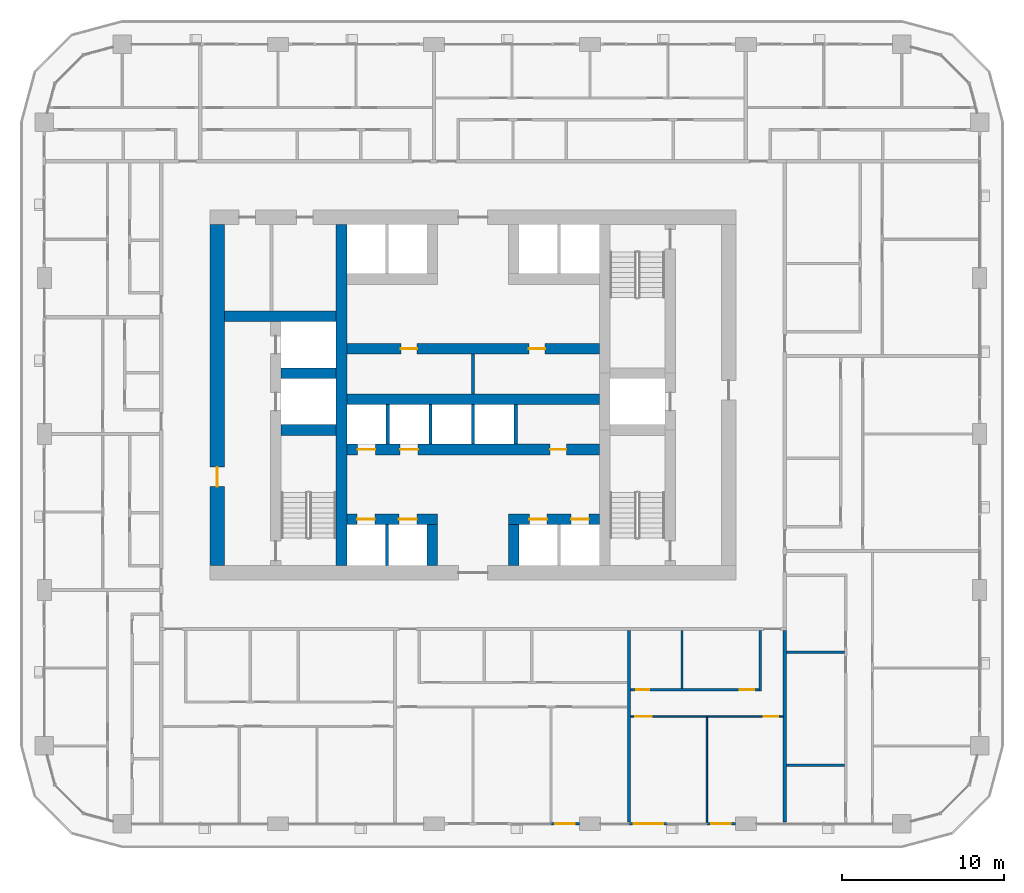
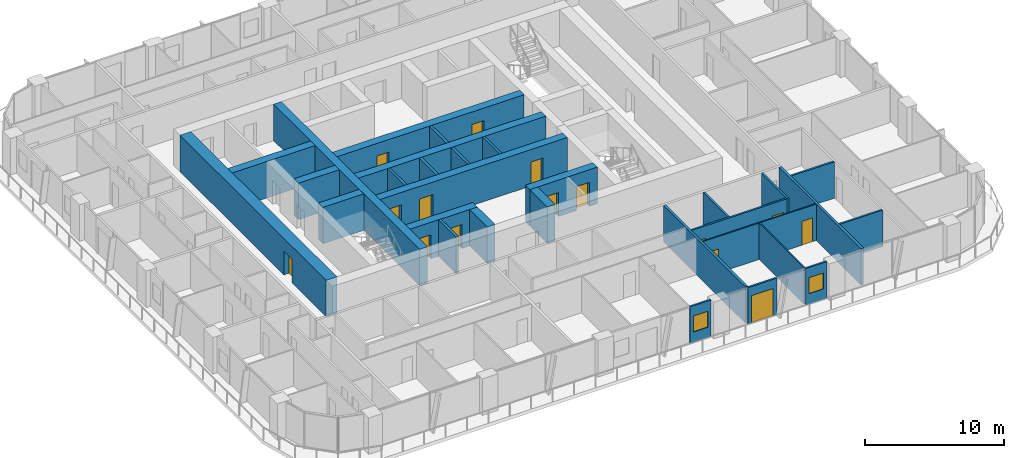
# One storey, part 11 of 22: 30 walls, 15 doors, 2 windows, 17 openings.
"""IFC4 building model written with IfcOpenShell, lengths in metres."""

from ifc_helpers import new_model, si_unit, direction, frame, frame_2d, origin, place, context, subcontext, project, spatial, rectangle, extrude, material, layer, layer_set, type_object, element, fill, save


model = new_model("IFC4")

# Units and contexts
model_context = context("Model", 3, precision=1e-05, world=origin(), true_north=direction((0.0, 1.0)))
body_context = subcontext(model_context, "Body", "Model", "MODEL_VIEW")
ifc_project = project(units=[si_unit("LENGTHUNIT", "METRE"), si_unit("AREAUNIT", "SQUARE_METRE"), si_unit("VOLUMEUNIT", "CUBIC_METRE"), si_unit("PLANEANGLEUNIT", "RADIAN"), si_unit("MASSUNIT", "GRAM", prefix="KILO")], contexts=[model_context])

# Site, building, storey
site_placement = place(None, origin())
site = spatial("IfcSite", under=ifc_project, at=site_placement, CompositionType="ELEMENT")
building_placement = place(site_placement, origin())
building = spatial("IfcBuilding", under=site, at=building_placement, Name="Madar Terraces", CompositionType="ELEMENT")
storey_placement = place(building_placement, frame((0.0, 0.0, 62.800048828125)))
storey = spatial("IfcBuildingStorey", under=building, at=storey_placement, Name="L15", CompositionType="ELEMENT", Elevation=62.800048828125)

# Walls
ifc_material_1 = material(Name="Concrete C80/95", Category="concrete")
ifc_layer_1 = layer(ifc_material_1, 0.64990234375)
ifc_layer_set_1 = layer_set([ifc_layer_1], Name="Concrete C80/95 (CIW2 RC wall 650)")
wall_type_1 = type_object("IfcWallType", Name="CIW2 RC wall 650", PredefinedType="SHEAR", material=ifc_layer_set_1)
wall_1_placement = place(storey_placement, frame((23.10009765625, 15.89990234375, 0.0), z_axis=(0.0, 0.0, 1.0), x_axis=(0.0, 1.0, 0.0)))
element("IfcWall", 1, at=wall_1_placement, inside=storey, type_object=wall_type_1, Name="CORE SHAFT WALL", PredefinedType="SHEAR", context=body_context, shape_type="SweptSolid", body=[
    extrude(rectangle(XDim=21.0, YDim=0.64990234375, at=frame_2d((10.5, 0.0))), origin(), (0.0, 0.0, 1.0), 3.199951171875),
])
for number, where, z_axis, x_axis, name in (
    (2, (19.375, 24.25, 0.0), (0.0, 0.0, 1.0), (1.0, 0.0, 0.0), "CORE SHAFT WALL"),
    (3, (19.375, 27.75, 0.0), (0.0, 0.0, 1.0), (1.0, 0.0, 0.0), "CORE SHAFT WALL"),
):
    element("IfcWall", number, at=place(storey_placement, frame(where, z_axis=z_axis, x_axis=x_axis)), inside=storey, type_object=wall_type_1, Name=name, PredefinedType="SHEAR", context=body_context, shape_type="SweptSolid", body=[
        extrude(rectangle(XDim=3.39990234375, YDim=0.64990234375, at=frame_2d((1.699951171875, 0.0))), origin(), (0.0, 0.0, 1.0), 3.199951171875),
    ])
wall_2_placement = place(storey_placement, frame((15.89990234375, 31.25, 0.0), z_axis=(0.0, 0.0, 1.0), x_axis=(1.0, 0.0, 0.0)))
element("IfcWall", 4, at=wall_2_placement, inside=storey, type_object=wall_type_1, Name="CORE SHAFT WALL", PredefinedType="SHEAR", context=body_context, shape_type="SweptSolid", body=[
    extrude(rectangle(XDim=6.875, YDim=0.64990234375, at=frame_2d((3.4375, 0.0))), origin(), (0.0, 0.0, 1.0), 3.199951171875),
])

# Wall, openings, doors
wall_3_placement = place(storey_placement, frame((23.425048828125, 18.75, 0.0), z_axis=(0.0, 0.0, 1.0), x_axis=(1.0, 0.0, 0.0)))
wall_3 = element("IfcWall", 5, at=wall_3_placement, inside=storey, type_object=wall_type_1, Name="CORE SHAFT WALL", PredefinedType="SHEAR", context=body_context, shape_type="SweptSolid", body=[
    extrude(rectangle(XDim=5.599853515625, YDim=0.64990234375, at=frame_2d((2.7998046875, 0.0))), origin(), (0.0, 0.0, 1.0), 3.199951171875),
])
opening_1_placement = place(wall_3_placement, frame((0.637451171875, 0.0, 0.0)))
opening_1 = element("IfcOpeningElement", 6, at=opening_1_placement, cuts=wall_3, Name="Opening LD", PredefinedType="OPENING", context=body_context, shape_type="SweptSolid", body=[
    extrude(rectangle(XDim=1.10009765625, YDim=2.10009765625, at=frame_2d((0.550048828125, 1.050048828125))), frame((0.0, 0.3349609375, 0.0), z_axis=(0.0, -1.0, 0.0), x_axis=(1.0, 0.0, 0.0)), (0.0, 0.0, 1.0), 0.669921875),
])
opening_2_placement = place(wall_3_placement, frame((3.21240234375, 0.0, 0.0)))
opening_2 = element("IfcOpeningElement", 7, at=opening_2_placement, cuts=wall_3, Name="Opening LD", PredefinedType="OPENING", context=body_context, shape_type="SweptSolid", body=[
    extrude(rectangle(XDim=1.10009765625, YDim=2.10009765625, at=frame_2d((0.550048828125, 1.050048828125))), frame((0.0, 0.3349609375, 0.0), z_axis=(0.0, -1.0, 0.0), x_axis=(1.0, 0.0, 0.0)), (0.0, 0.0, 1.0), 0.669921875),
])
ifc_material_2 = material(Name="Stainless steel panel", Category="steel")
door_type_1 = type_object("IfcDoorType", Name="Lift landing door 1100 x 2100", OperationType="DOUBLE_DOOR_SLIDING", PredefinedType="DOOR", material=ifc_material_2)
door_1_placement = place(opening_1_placement, origin())
door_1 = element("IfcDoor", 8, at=door_1_placement, inside=storey, type_object=door_type_1, Name="LIFT LANDING DOOR", OperationType="DOUBLE_DOOR_SLIDING", OverallHeight=2.10009765625, OverallWidth=1.10009765625, PredefinedType="DOOR", context=body_context, shape_type="SweptSolid", body=[
    extrude(rectangle(XDim=1.10009765625, YDim=2.10009765625, at=frame_2d((0.550048828125, 1.050048828125))), frame((0.0, 0.02490234375, 0.0), z_axis=(0.0, -1.0, 0.0), x_axis=(1.0, 0.0, 0.0)), (0.0, 0.0, 1.0), 0.050048828125),
])
fill(opening_1, door_1)
door_2_placement = place(opening_2_placement, origin())
door_2 = element("IfcDoor", 9, at=door_2_placement, inside=storey, type_object=door_type_1, Name="LIFT LANDING DOOR", OperationType="DOUBLE_DOOR_SLIDING", OverallHeight=2.10009765625, OverallWidth=1.10009765625, PredefinedType="DOOR", context=body_context, shape_type="SweptSolid", body=[
    extrude(rectangle(XDim=1.10009765625, YDim=2.10009765625, at=frame_2d((0.550048828125, 1.050048828125))), frame((0.0, 0.02490234375, 0.0), z_axis=(0.0, -1.0, 0.0), x_axis=(1.0, 0.0, 0.0)), (0.0, 0.0, 1.0), 0.050048828125),
])
fill(opening_2, door_2)

wall_4_placement = place(storey_placement, frame((33.375, 18.75, 0.0), z_axis=(0.0, 0.0, 1.0), x_axis=(1.0, 0.0, 0.0)))
wall_4 = element("IfcWall", 10, at=wall_4_placement, inside=storey, type_object=wall_type_1, Name="CORE SHAFT WALL", PredefinedType="SHEAR", context=body_context, shape_type="SweptSolid", body=[
    extrude(rectangle(XDim=5.60009765625, YDim=0.64990234375, at=frame_2d((2.800048828125, 0.0))), origin(), (0.0, 0.0, 1.0), 3.199951171875),
])
opening_3_placement = place(wall_4_placement, frame((1.28759765625, 0.0, 0.0)))
opening_3 = element("IfcOpeningElement", 11, at=opening_3_placement, cuts=wall_4, Name="Opening LD", PredefinedType="OPENING", context=body_context, shape_type="SweptSolid", body=[
    extrude(rectangle(XDim=1.10009765625, YDim=2.10009765625, at=frame_2d((0.550048828125, 1.050048828125))), frame((0.0, 0.3349609375, 0.0), z_axis=(0.0, -1.0, 0.0), x_axis=(1.0, 0.0, 0.0)), (0.0, 0.0, 1.0), 0.669921875),
])
opening_4_placement = place(wall_4_placement, frame((3.862548828125, 0.0, 0.0)))
opening_4 = element("IfcOpeningElement", 12, at=opening_4_placement, cuts=wall_4, Name="Opening LD", PredefinedType="OPENING", context=body_context, shape_type="SweptSolid", body=[
    extrude(rectangle(XDim=1.10009765625, YDim=2.10009765625, at=frame_2d((0.550048828125, 1.050048828125))), frame((0.0, 0.3349609375, 0.0), z_axis=(0.0, -1.0, 0.0), x_axis=(1.0, 0.0, 0.0)), (0.0, 0.0, 1.0), 0.669921875),
])
door_3_placement = place(opening_3_placement, origin())
door_3 = element("IfcDoor", 13, at=door_3_placement, inside=storey, type_object=door_type_1, Name="LIFT LANDING DOOR", OperationType="DOUBLE_DOOR_SLIDING", OverallHeight=2.10009765625, OverallWidth=1.10009765625, PredefinedType="DOOR", context=body_context, shape_type="SweptSolid", body=[
    extrude(rectangle(XDim=1.10009765625, YDim=2.10009765625, at=frame_2d((0.550048828125, 1.050048828125))), frame((0.0, 0.02490234375, 0.0), z_axis=(0.0, -1.0, 0.0), x_axis=(1.0, 0.0, 0.0)), (0.0, 0.0, 1.0), 0.050048828125),
])
fill(opening_3, door_3)
door_4_placement = place(opening_4_placement, origin())
door_4 = element("IfcDoor", 14, at=door_4_placement, inside=storey, type_object=door_type_1, Name="LIFT LANDING DOOR", OperationType="DOUBLE_DOOR_SLIDING", OverallHeight=2.10009765625, OverallWidth=1.10009765625, PredefinedType="DOOR", context=body_context, shape_type="SweptSolid", body=[
    extrude(rectangle(XDim=1.10009765625, YDim=2.10009765625, at=frame_2d((0.550048828125, 1.050048828125))), frame((0.0, 0.02490234375, 0.0), z_axis=(0.0, -1.0, 0.0), x_axis=(1.0, 0.0, 0.0)), (0.0, 0.0, 1.0), 0.050048828125),
])
fill(opening_4, door_4)

wall_5_placement = place(storey_placement, frame((23.425048828125, 23.050048828125, 0.0), z_axis=(0.0, 0.0, 1.0), x_axis=(1.0, 0.0, 0.0)))
wall_5 = element("IfcWall", 15, at=wall_5_placement, inside=storey, type_object=wall_type_1, Name="CORE SHAFT WALL", PredefinedType="SHEAR", context=body_context, shape_type="SweptSolid", body=[
    extrude(rectangle(XDim=15.550048828125, YDim=0.64990234375, at=frame_2d((7.77490234375, 0.0))), origin(), (0.0, 0.0, 1.0), 3.199951171875),
])
opening_5_placement = place(wall_5_placement, frame((0.66259765625, 0.0, 0.0)))
opening_5 = element("IfcOpeningElement", 16, at=opening_5_placement, cuts=wall_5, Name="Opening LD", PredefinedType="OPENING", context=body_context, shape_type="SweptSolid", body=[
    extrude(rectangle(XDim=1.10009765625, YDim=2.10009765625, at=frame_2d((0.550048828125, 1.050048828125))), frame((0.0, 0.3349609375, 0.0), z_axis=(0.0, -1.0, 0.0), x_axis=(1.0, 0.0, 0.0)), (0.0, 0.0, 1.0), 0.669921875),
])
opening_6_placement = place(wall_5_placement, frame((3.28759765625, 0.0, 0.0)))
opening_6 = element("IfcOpeningElement", 17, at=opening_6_placement, cuts=wall_5, Name="Opening LD", PredefinedType="OPENING", context=body_context, shape_type="SweptSolid", body=[
    extrude(rectangle(XDim=1.10009765625, YDim=2.10009765625, at=frame_2d((0.550048828125, 1.050048828125))), frame((0.0, 0.3349609375, 0.0), z_axis=(0.0, -1.0, 0.0), x_axis=(1.0, 0.0, 0.0)), (0.0, 0.0, 1.0), 0.669921875),
])
opening_7_placement = place(wall_5_placement, frame((12.52490234375, 0.0, 0.0)))
opening_7 = element("IfcOpeningElement", 18, at=opening_7_placement, cuts=wall_5, Name="Opening KD2", PredefinedType="OPENING", context=body_context, shape_type="SweptSolid", body=[
    extrude(rectangle(XDim=1.0, YDim=2.10009765625, at=frame_2d((0.5, 1.050048828125))), frame((0.0, 0.3349609375, 0.0), z_axis=(0.0, -1.0, 0.0), x_axis=(1.0, 0.0, 0.0)), (0.0, 0.0, 1.0), 0.669921875),
])
door_5_placement = place(opening_5_placement, origin())
door_5 = element("IfcDoor", 19, at=door_5_placement, inside=storey, type_object=door_type_1, Name="LIFT LANDING DOOR", OperationType="DOUBLE_DOOR_SLIDING", OverallHeight=2.10009765625, OverallWidth=1.10009765625, PredefinedType="DOOR", context=body_context, shape_type="SweptSolid", body=[
    extrude(rectangle(XDim=1.10009765625, YDim=2.10009765625, at=frame_2d((0.550048828125, 1.050048828125))), frame((0.0, 0.02490234375, 0.0), z_axis=(0.0, -1.0, 0.0), x_axis=(1.0, 0.0, 0.0)), (0.0, 0.0, 1.0), 0.050048828125),
])
fill(opening_5, door_5)
door_6_placement = place(opening_6_placement, origin())
door_6 = element("IfcDoor", 20, at=door_6_placement, inside=storey, type_object=door_type_1, Name="LIFT LANDING DOOR", OperationType="DOUBLE_DOOR_SLIDING", OverallHeight=2.10009765625, OverallWidth=1.10009765625, PredefinedType="DOOR", context=body_context, shape_type="SweptSolid", body=[
    extrude(rectangle(XDim=1.10009765625, YDim=2.10009765625, at=frame_2d((0.550048828125, 1.050048828125))), frame((0.0, 0.02490234375, 0.0), z_axis=(0.0, -1.0, 0.0), x_axis=(1.0, 0.0, 0.0)), (0.0, 0.0, 1.0), 0.050048828125),
])
fill(opening_6, door_6)
ifc_material_3 = material(Name="Steel door leaf", Category="steel")
door_type_2 = type_object("IfcDoorType", Name="Service room door 1000 x 2100", OperationType="NOTDEFINED", PredefinedType="DOOR", material=ifc_material_3)
door_7_placement = place(opening_7_placement, frame((1.0, 0.0, 0.0), z_axis=(0.0, 0.0, 1.0), x_axis=(-1.0, 0.0, 0.0)))
door_7 = element("IfcDoor", 21, at=door_7_placement, inside=storey, type_object=door_type_2, Name="SERVICE ROOM DOOR", OperationType="SINGLE_SWING_RIGHT", OverallHeight=2.10009765625, OverallWidth=1.0, PredefinedType="DOOR", context=body_context, shape_type="SweptSolid", body=[
    extrude(rectangle(XDim=1.0, YDim=2.10009765625, at=frame_2d((0.5, 1.050048828125))), frame((0.0, 0.02490234375, 0.0), z_axis=(0.0, -1.0, 0.0), x_axis=(1.0, 0.0, 0.0)), (0.0, 0.0, 1.0), 0.050048828125),
])
fill(opening_7, door_7)

# Wall
wall_6_placement = place(storey_placement, frame((23.425048828125, 26.14990234375, 0.0), z_axis=(0.0, 0.0, 1.0), x_axis=(1.0, 0.0, 0.0)))
element("IfcWall", 22, at=wall_6_placement, inside=storey, type_object=wall_type_1, Name="CORE SHAFT WALL", PredefinedType="SHEAR", context=body_context, shape_type="SweptSolid", body=[
    extrude(rectangle(XDim=15.550048828125, YDim=0.64990234375, at=frame_2d((7.77490234375, 0.0))), origin(), (0.0, 0.0, 1.0), 3.199951171875),
])

# Wall, openings, doors
wall_7_placement = place(storey_placement, frame((23.425048828125, 29.25, 0.0), z_axis=(0.0, 0.0, 1.0), x_axis=(1.0, 0.0, 0.0)))
wall_7 = element("IfcWall", 23, at=wall_7_placement, inside=storey, type_object=wall_type_1, Name="CORE SHAFT WALL", PredefinedType="SHEAR", context=body_context, shape_type="SweptSolid", body=[
    extrude(rectangle(XDim=15.550048828125, YDim=0.64990234375, at=frame_2d((7.77490234375, 0.0))), origin(), (0.0, 0.0, 1.0), 3.199951171875),
])
opening_8_placement = place(wall_7_placement, frame((3.33740234375, 0.0, 0.0)))
opening_8 = element("IfcOpeningElement", 24, at=opening_8_placement, cuts=wall_7, Name="Opening KD2", PredefinedType="OPENING", context=body_context, shape_type="SweptSolid", body=[
    extrude(rectangle(XDim=1.0, YDim=2.10009765625, at=frame_2d((0.5, 1.050048828125))), frame((0.0, 0.3349609375, 0.0), z_axis=(0.0, -1.0, 0.0), x_axis=(1.0, 0.0, 0.0)), (0.0, 0.0, 1.0), 0.669921875),
])
opening_9_placement = place(wall_7_placement, frame((11.21240234375, 0.0, 0.0)))
opening_9 = element("IfcOpeningElement", 25, at=opening_9_placement, cuts=wall_7, Name="Opening KD2", PredefinedType="OPENING", context=body_context, shape_type="SweptSolid", body=[
    extrude(rectangle(XDim=1.0, YDim=2.10009765625, at=frame_2d((0.5, 1.050048828125))), frame((0.0, 0.3349609375, 0.0), z_axis=(0.0, -1.0, 0.0), x_axis=(1.0, 0.0, 0.0)), (0.0, 0.0, 1.0), 0.669921875),
])
door_8_placement = place(opening_8_placement, origin())
door_8 = element("IfcDoor", 26, at=door_8_placement, inside=storey, type_object=door_type_2, Name="SERVICE ROOM DOOR", OperationType="SINGLE_SWING_LEFT", OverallHeight=2.10009765625, OverallWidth=1.0, PredefinedType="DOOR", context=body_context, shape_type="SweptSolid", body=[
    extrude(rectangle(XDim=1.0, YDim=2.10009765625, at=frame_2d((0.5, 1.050048828125))), frame((0.0, 0.02490234375, 0.0), z_axis=(0.0, -1.0, 0.0), x_axis=(1.0, 0.0, 0.0)), (0.0, 0.0, 1.0), 0.050048828125),
])
fill(opening_8, door_8)
door_9_placement = place(opening_9_placement, origin())
door_9 = element("IfcDoor", 27, at=door_9_placement, inside=storey, type_object=door_type_2, Name="SERVICE ROOM DOOR", OperationType="SINGLE_SWING_RIGHT", OverallHeight=2.10009765625, OverallWidth=1.0, PredefinedType="DOOR", context=body_context, shape_type="SweptSolid", body=[
    extrude(rectangle(XDim=1.0, YDim=2.10009765625, at=frame_2d((0.5, 1.050048828125))), frame((0.0, 0.02490234375, 0.0), z_axis=(0.0, -1.0, 0.0), x_axis=(1.0, 0.0, 0.0)), (0.0, 0.0, 1.0), 0.050048828125),
])
fill(opening_9, door_9)

# Walls
for number, where, z_axis, x_axis, name in (
    (28, (28.699951171875, 15.89990234375, 0.0), (0.0, 0.0, 1.0), (0.0, 1.0, 0.0), "CORE SHAFT WALL"),
    (29, (33.699951171875, 15.89990234375, 0.0), (0.0, 0.0, 1.0), (0.0, 1.0, 0.0), "CORE SHAFT WALL"),
):
    element("IfcWall", number, at=place(storey_placement, frame(where, z_axis=z_axis, x_axis=x_axis)), inside=storey, type_object=wall_type_1, Name=name, PredefinedType="SHEAR", context=body_context, shape_type="SweptSolid", body=[
        extrude(rectangle(XDim=2.525146484375, YDim=0.64990234375, at=frame_2d((1.2626953125, 0.0))), origin(), (0.0, 0.0, 1.0), 3.199951171875),
    ])

# Wall, opening, door
ifc_material_4 = material(Name="Concrete C80/95", Category="concrete")
ifc_layer_2 = layer(ifc_material_4, 0.89990234375)
ifc_layer_set_2 = layer_set([ifc_layer_2], Name="Concrete C80/95 (CRW2 RC wall 900)")
wall_type_2 = type_object("IfcWallType", Name="CRW2 RC wall 900", PredefinedType="SHEAR", material=ifc_layer_set_2)
wall_8_placement = place(storey_placement, frame((15.449951171875, 15.89990234375, 0.0), z_axis=(0.0, 0.0, 1.0), x_axis=(0.0, 1.0, 0.0)))
wall_8 = element("IfcWall", 30, at=wall_8_placement, inside=storey, type_object=wall_type_2, Name="CORE OUTER WALL", PredefinedType="SHEAR", context=body_context, shape_type="SweptSolid", body=[
    extrude(rectangle(XDim=21.0, YDim=0.89990234375, at=frame_2d((10.5, 0.0))), origin(), (0.0, 0.0, 1.0), 3.199951171875),
])
opening_10_placement = place(wall_8_placement, frame((4.860107421875, 0.0, 0.0)))
opening_10 = element("IfcOpeningElement", 31, at=opening_10_placement, cuts=wall_8, Name="Opening SD1", PredefinedType="OPENING", context=body_context, shape_type="SweptSolid", body=[
    extrude(rectangle(XDim=1.199951171875, YDim=2.10009765625, at=frame_2d((0.60009765625, 1.050048828125))), frame((0.0, 0.4599609375, 0.0), z_axis=(0.0, -1.0, 0.0), x_axis=(1.0, 0.0, 0.0)), (0.0, 0.0, 1.0), 0.919921875),
])
ifc_material_5 = material(Name="Steel door leaf", Category="steel")
door_type_3 = type_object("IfcDoorType", Name="Stair door 1200 x 2100", OperationType="NOTDEFINED", PredefinedType="DOOR", material=ifc_material_5)
door_10_placement = place(opening_10_placement, frame((1.199951171875, 0.0, 0.0), z_axis=(0.0, 0.0, 1.0), x_axis=(-1.0, 0.0, 0.0)))
door_10 = element("IfcDoor", 32, at=door_10_placement, inside=storey, type_object=door_type_3, Name="STAIR DOOR", OperationType="SINGLE_SWING_RIGHT", OverallHeight=2.10009765625, OverallWidth=1.199951171875, PredefinedType="DOOR", context=body_context, shape_type="SweptSolid", body=[
    extrude(rectangle(XDim=1.199951171875, YDim=2.10009765625, at=frame_2d((0.60009765625, 1.050048828125))), frame((0.0, 0.02490234375, 0.0), z_axis=(0.0, -1.0, 0.0), x_axis=(1.0, 0.0, 0.0)), (0.0, 0.0, 1.0), 0.050048828125),
])
fill(opening_10, door_10)

# Walls
ifc_material_6 = material(Name="Masonry blockwork", Category="masonry")
ifc_layer_3 = layer(ifc_material_6, 0.199951171875)
ifc_layer_set_3 = layer_set([ifc_layer_3], Name="Core partition 200 blockwork")
wall_type_3 = type_object("IfcWallType", Name="Core partition 200 blockwork", PredefinedType="PARTITIONING", material=ifc_layer_set_3)
wall_9_placement = place(storey_placement, frame((31.199951171875, 26.47509765625, 0.0), z_axis=(0.0, 0.0, 1.0), x_axis=(0.0, 1.0, 0.0)))
element("IfcWall", 33, at=wall_9_placement, inside=storey, type_object=wall_type_3, Name="SERVICE ROOM PARTITION", PredefinedType="PARTITIONING", context=body_context, shape_type="SweptSolid", body=[
    extrude(rectangle(XDim=2.449951171875, YDim=0.199951171875, at=frame_2d((1.22509765625, 0.0))), origin(), (0.0, 0.0, 1.0), 3.199951171875),
])
ifc_material_7 = material(Name="Concrete C40/50", Category="concrete")
ifc_layer_4 = layer(ifc_material_7, 0.199951171875)
ifc_layer_set_4 = layer_set([ifc_layer_4], Name="Core shaft dividing wall 200 C40/50")
wall_type_4 = type_object("IfcWallType", Name="Core shaft dividing wall 200 C40/50", PredefinedType="SOLIDWALL", material=ifc_layer_set_4)
for number, where, z_axis, x_axis, name in (
    (34, (25.949951171875, 23.375, 0.0), (0.0, 0.0, 1.0), (0.0, 1.0, 0.0), "SHAFT DIVIDING WALL"),
    (35, (28.574951171875, 23.375, 0.0), (0.0, 0.0, 1.0), (0.0, 1.0, 0.0), "SHAFT DIVIDING WALL"),
    (36, (31.199951171875, 23.375, 0.0), (0.0, 0.0, 1.0), (0.0, 1.0, 0.0), "SHAFT DIVIDING WALL"),
    (37, (33.824951171875, 23.375, 0.0), (0.0, 0.0, 1.0), (0.0, 1.0, 0.0), "SHAFT DIVIDING WALL"),
):
    element("IfcWall", number, at=place(storey_placement, frame(where, z_axis=z_axis, x_axis=x_axis)), inside=storey, type_object=wall_type_4, Name=name, PredefinedType="SOLIDWALL", context=body_context, shape_type="SweptSolid", body=[
        extrude(rectangle(XDim=2.449951171875, YDim=0.199951171875, at=frame_2d((1.22509765625, 0.0))), origin(), (0.0, 0.0, 1.0), 3.199951171875),
    ])
wall_10_placement = place(storey_placement, frame((25.89990234375, 15.89990234375, 0.0), z_axis=(0.0, 0.0, 1.0), x_axis=(0.0, 1.0, 0.0)))
element("IfcWall", 38, at=wall_10_placement, inside=storey, type_object=wall_type_4, Name="SHAFT DIVIDING WALL", PredefinedType="SOLIDWALL", context=body_context, shape_type="SweptSolid", body=[
    extrude(rectangle(XDim=2.525146484375, YDim=0.199951171875, at=frame_2d((1.2626953125, 0.0))), origin(), (0.0, 0.0, 1.0), 3.199951171875),
])

# Wall, opening, window
ifc_material_8 = material(Name="Aluminium composite panel, black, over insulated backing", Category="aluminium")
ifc_layer_5 = layer(ifc_material_8, 0.14990234375)
ifc_layer_set_5 = layer_set([ifc_layer_5], Name="Facade bay panel 150")
wall_type_5 = type_object("IfcWallType", Name="Facade bay panel 150", PredefinedType="SOLIDWALL", material=ifc_layer_set_5)
wall_11_placement = place(storey_placement, frame((36.0, 0.0, 0.0), z_axis=(0.0, 0.0, 1.0), x_axis=(1.0, 0.0, 0.0)))
wall_11 = element("IfcWall", 39, at=wall_11_placement, inside=storey, type_object=wall_type_5, Name="Facade bay panel", PredefinedType="SOLIDWALL", context=body_context, shape_type="SweptSolid", body=[
    extrude(rectangle(XDim=1.75, YDim=0.14990234375, at=frame_2d((0.875, 0.0))), origin(), (0.0, 0.0, 1.0), 3.199951171875),
])
opening_11_placement = place(wall_11_placement, frame((0.27490234375, 0.0, 0.89990234375)))
opening_11 = element("IfcOpeningElement", 40, at=opening_11_placement, cuts=wall_11, Name="Opening W1", PredefinedType="OPENING", context=body_context, shape_type="SweptSolid", body=[
    extrude(rectangle(XDim=1.199951171875, YDim=1.39990234375, at=frame_2d((0.60009765625, 0.699951171875))), frame((0.0, 0.0849609375, 0.0), z_axis=(0.0, -1.0, 0.0), x_axis=(1.0, 0.0, 0.0)), (0.0, 0.0, 1.0), 0.169921875),
])
ifc_material_9 = material(Name="Glass, clear, with black aluminium frame", Category="aluminium")
window_type = type_object("IfcWindowType", Name="Vent window 1200 x 1400", PartitioningType="SINGLE_PANEL", PredefinedType="WINDOW", material=ifc_material_9)
window_1_placement = place(opening_11_placement, origin())
window_1 = element("IfcWindow", 41, at=window_1_placement, inside=storey, type_object=window_type, Name="Operable vent window", OverallHeight=1.39990234375, OverallWidth=1.199951171875, PartitioningType="SINGLE_PANEL", PredefinedType="WINDOW", context=body_context, shape_type="SweptSolid", body=[
    extrude(rectangle(XDim=1.199951171875, YDim=1.39990234375, at=frame_2d((0.60009765625, 0.699951171875))), frame((0.0, 0.030029296875, 0.0), z_axis=(0.0, -1.0, 0.0), x_axis=(1.0, 0.0, 0.0)), (0.0, 0.0, 1.0), 0.06005859375),
])
fill(opening_11, window_1)

# Wall, opening, door
wall_12_placement = place(storey_placement, frame((40.800048828125, 0.0, 0.0), z_axis=(0.0, 0.0, 1.0), x_axis=(1.0, 0.0, 0.0)))
wall_12 = element("IfcWall", 42, at=wall_12_placement, inside=storey, type_object=wall_type_5, Name="Facade bay panel", PredefinedType="SOLIDWALL", context=body_context, shape_type="SweptSolid", body=[
    extrude(rectangle(XDim=2.39990234375, YDim=0.14990234375, at=frame_2d((1.199951171875, 0.0))), origin(), (0.0, 0.0, 1.0), 3.199951171875),
])
opening_12_placement = place(wall_12_placement, frame((0.300048828125, 0.0, 0.0)))
opening_12 = element("IfcOpeningElement", 43, at=opening_12_placement, cuts=wall_12, Name="Opening ED1", PredefinedType="OPENING", context=body_context, shape_type="SweptSolid", body=[
    extrude(rectangle(XDim=1.800048828125, YDim=2.39990234375, at=frame_2d((0.89990234375, 1.199951171875))), frame((0.0, 0.0849609375, 0.0), z_axis=(0.0, -1.0, 0.0), x_axis=(1.0, 0.0, 0.0)), (0.0, 0.0, 1.0), 0.169921875),
])
ifc_material_10 = material(Name="Glass, clear, with black aluminium frame", Category="aluminium")
door_type_4 = type_object("IfcDoorType", Name="Balcony and terrace sliding door 1800 x 2400", OperationType="SLIDING_TO_LEFT", PredefinedType="DOOR", material=ifc_material_10)
door_11_placement = place(opening_12_placement, origin())
door_11 = element("IfcDoor", 44, at=door_11_placement, inside=storey, type_object=door_type_4, Name="Balcony door", OperationType="SLIDING_TO_RIGHT", OverallHeight=2.39990234375, OverallWidth=1.800048828125, PredefinedType="DOOR", context=body_context, shape_type="SweptSolid", body=[
    extrude(rectangle(XDim=1.800048828125, YDim=2.39990234375, at=frame_2d((0.89990234375, 1.199951171875))), frame((0.0, 0.02490234375, 0.0), z_axis=(0.0, -1.0, 0.0), x_axis=(1.0, 0.0, 0.0)), (0.0, 0.0, 1.0), 0.050048828125),
])
fill(opening_12, door_11)

# Wall, opening, window
wall_13_placement = place(storey_placement, frame((45.60009765625, 0.0, 0.0), z_axis=(0.0, 0.0, 1.0), x_axis=(1.0, 0.0, 0.0)))
wall_13 = element("IfcWall", 45, at=wall_13_placement, inside=storey, type_object=wall_type_5, Name="Facade bay panel", PredefinedType="SOLIDWALL", context=body_context, shape_type="SweptSolid", body=[
    extrude(rectangle(XDim=1.75, YDim=0.14990234375, at=frame_2d((0.875, 0.0))), origin(), (0.0, 0.0, 1.0), 3.199951171875),
])
opening_13_placement = place(wall_13_placement, frame((0.27490234375, 0.0, 0.89990234375)))
opening_13 = element("IfcOpeningElement", 46, at=opening_13_placement, cuts=wall_13, Name="Opening W1", PredefinedType="OPENING", context=body_context, shape_type="SweptSolid", body=[
    extrude(rectangle(XDim=1.199951171875, YDim=1.39990234375, at=frame_2d((0.60009765625, 0.699951171875))), frame((0.0, 0.0849609375, 0.0), z_axis=(0.0, -1.0, 0.0), x_axis=(1.0, 0.0, 0.0)), (0.0, 0.0, 1.0), 0.169921875),
])
window_2_placement = place(opening_13_placement, origin())
window_2 = element("IfcWindow", 47, at=window_2_placement, inside=storey, type_object=window_type, Name="Operable vent window", OverallHeight=1.39990234375, OverallWidth=1.199951171875, PartitioningType="SINGLE_PANEL", PredefinedType="WINDOW", context=body_context, shape_type="SweptSolid", body=[
    extrude(rectangle(XDim=1.199951171875, YDim=1.39990234375, at=frame_2d((0.60009765625, 0.699951171875))), frame((0.0, 0.030029296875, 0.0), z_axis=(0.0, -1.0, 0.0), x_axis=(1.0, 0.0, 0.0)), (0.0, 0.0, 1.0), 0.06005859375),
])
fill(opening_13, window_2)

# Wall
ifc_material_11 = material(Name="Gypsum board on steel studs", Category="steel")
ifc_layer_6 = layer(ifc_material_11, 0.10009765625)
ifc_layer_set_6 = layer_set([ifc_layer_6], Name="Flat partition 100")
wall_type_6 = type_object("IfcWallType", Name="Flat partition 100", PredefinedType="PARTITIONING", material=ifc_layer_set_6)
wall_14_placement = place(storey_placement, frame((45.60009765625, 6.550048828125, 0.0), z_axis=(0.0, 0.0, 1.0), x_axis=(0.0, -1.0, 0.0)))
element("IfcWall", 48, at=wall_14_placement, inside=storey, type_object=wall_type_6, Name="Flat partition 100", PredefinedType="PARTITIONING", context=body_context, shape_type="SweptSolid", body=[
    extrude(rectangle(XDim=6.449951171875, YDim=0.10009765625, at=frame_2d((3.22509765625, 0.0))), origin(), (0.0, 0.0, 1.0), 3.199951171875),
])

# Wall, openings, doors
wall_15_placement = place(storey_placement, frame((50.300048828125, 6.60009765625, 0.0), z_axis=(0.0, 0.0, 1.0), x_axis=(-1.0, 0.0, 0.0)))
wall_15 = element("IfcWall", 49, at=wall_15_placement, inside=storey, type_object=wall_type_6, Name="Flat partition 100", PredefinedType="PARTITIONING", context=body_context, shape_type="SweptSolid", body=[
    extrude(rectangle(XDim=9.400146484375, YDim=0.10009765625, at=frame_2d((4.7001953125, 0.0))), origin(), (0.0, 0.0, 1.0), 3.199951171875),
])
opening_14_placement = place(wall_15_placement, frame((0.300048828125, 0.0, 0.0)))
opening_14 = element("IfcOpeningElement", 50, at=opening_14_placement, cuts=wall_15, Name="Opening D2", PredefinedType="OPENING", context=body_context, shape_type="SweptSolid", body=[
    extrude(rectangle(XDim=0.89990234375, YDim=2.10009765625, at=frame_2d((0.449951171875, 1.050048828125))), frame((0.0, 0.06005859375, 0.0), z_axis=(0.0, -1.0, 0.0), x_axis=(1.0, 0.0, 0.0)), (0.0, 0.0, 1.0), 0.1201171875),
])
opening_15_placement = place(wall_15_placement, frame((8.10009765625, 0.0, 0.0)))
opening_15 = element("IfcOpeningElement", 51, at=opening_15_placement, cuts=wall_15, Name="Opening D3", PredefinedType="OPENING", context=body_context, shape_type="SweptSolid", body=[
    extrude(rectangle(XDim=1.0, YDim=2.10009765625, at=frame_2d((0.5, 1.050048828125))), frame((0.0, 0.06005859375, 0.0), z_axis=(0.0, -1.0, 0.0), x_axis=(1.0, 0.0, 0.0)), (0.0, 0.0, 1.0), 0.1201171875),
])
ifc_material_12 = material(Name="Timber door leaf", Category="wood")
door_type_5 = type_object("IfcDoorType", Name="Flat living room door 1000", OperationType="NOTDEFINED", PredefinedType="DOOR", material=ifc_material_12)
door_12_placement = place(opening_15_placement, origin())
door_12 = element("IfcDoor", 52, at=door_12_placement, inside=storey, type_object=door_type_5, Name="Flat living room door 1000", OperationType="SINGLE_SWING_RIGHT", OverallHeight=2.10009765625, OverallWidth=1.0, PredefinedType="DOOR", context=body_context, shape_type="SweptSolid", body=[
    extrude(rectangle(XDim=1.0, YDim=2.10009765625, at=frame_2d((0.5, 1.050048828125))), frame((0.0, 0.02490234375, 0.0), z_axis=(0.0, -1.0, 0.0), x_axis=(1.0, 0.0, 0.0)), (0.0, 0.0, 1.0), 0.050048828125),
])
fill(opening_15, door_12)
ifc_material_13 = material(Name="Timber door leaf", Category="wood")
door_type_6 = type_object("IfcDoorType", Name="Flat room door 900", OperationType="NOTDEFINED", PredefinedType="DOOR", material=ifc_material_13)
door_13_placement = place(opening_14_placement, origin())
door_13 = element("IfcDoor", 53, at=door_13_placement, inside=storey, type_object=door_type_6, Name="Flat room door 900", OperationType="SINGLE_SWING_LEFT", OverallHeight=2.10009765625, OverallWidth=0.89990234375, PredefinedType="DOOR", context=body_context, shape_type="SweptSolid", body=[
    extrude(rectangle(XDim=0.89990234375, YDim=2.10009765625, at=frame_2d((0.449951171875, 1.050048828125))), frame((0.0, 0.02490234375, 0.0), z_axis=(0.0, -1.0, 0.0), x_axis=(1.0, 0.0, 0.0)), (0.0, 0.0, 1.0), 0.050048828125),
])
fill(opening_14, door_13)

# Walls
ifc_material_14 = material(Name="Lightweight blockwork", Category="masonry")
ifc_layer_7 = layer(ifc_material_14, 0.199951171875)
ifc_layer_set_7 = layer_set([ifc_layer_7], Name="Flat party and entrance wall 200")
wall_type_7 = type_object("IfcWallType", Name="Flat party and entrance wall 200", PredefinedType="PARTITIONING", material=ifc_layer_set_7)
for number, where, z_axis, x_axis, name in (
    (54, (40.800048828125, 11.89990234375, 0.0), (0.0, 0.0, 1.0), (0.0, -1.0, 0.0), "Flat party and entrance wall 200"),
    (55, (50.39990234375, 11.89990234375, 0.0), (0.0, 0.0, 1.0), (0.0, -1.0, 0.0), "Flat party and entrance wall 200"),
):
    element("IfcWall", number, at=place(storey_placement, frame(where, z_axis=z_axis, x_axis=x_axis)), inside=storey, type_object=wall_type_7, Name=name, PredefinedType="PARTITIONING", context=body_context, shape_type="SweptSolid", body=[
        extrude(rectangle(XDim=11.7998046875, YDim=0.199951171875, at=frame_2d((5.89990234375, 0.0))), origin(), (0.0, 0.0, 1.0), 3.199951171875),
    ])
ifc_material_15 = material(Name="Lightweight blockwork", Category="masonry")
ifc_layer_8 = layer(ifc_material_15, 0.14990234375)
ifc_layer_set_8 = layer_set([ifc_layer_8], Name="Flat wet-room partition 150")
wall_type_8 = type_object("IfcWallType", Name="Flat wet-room partition 150", PredefinedType="PARTITIONING", material=ifc_layer_set_8)
wall_16_placement = place(storey_placement, frame((44.070068359375, 11.89990234375, 0.0), z_axis=(0.0, 0.0, 1.0), x_axis=(0.0, -1.0, 0.0)))
element("IfcWall", 56, at=wall_16_placement, inside=storey, type_object=wall_type_8, Name="Flat wet-room partition 150", PredefinedType="PARTITIONING", context=body_context, shape_type="SweptSolid", body=[
    extrude(rectangle(XDim=3.574951171875, YDim=0.14990234375, at=frame_2d((1.78759765625, 0.0))), origin(), (0.0, 0.0, 1.0), 3.199951171875),
])
wall_17_placement = place(storey_placement, frame((48.89990234375, 11.89990234375, 0.0), z_axis=(0.0, 0.0, 1.0), x_axis=(0.0, -1.0, 0.0)))
element("IfcWall", 57, at=wall_17_placement, inside=storey, type_object=wall_type_8, Name="Flat wet-room partition 150", PredefinedType="PARTITIONING", context=body_context, shape_type="SweptSolid", body=[
    extrude(rectangle(XDim=3.724853515625, YDim=0.14990234375, at=frame_2d((1.8623046875, 0.0))), origin(), (0.0, 0.0, 1.0), 3.199951171875),
])

# Wall, openings, doors
wall_18_placement = place(storey_placement, frame((40.89990234375, 8.25, 0.0), z_axis=(0.0, 0.0, 1.0), x_axis=(1.0, 0.0, 0.0)))
wall_18 = element("IfcWall", 58, at=wall_18_placement, inside=storey, type_object=wall_type_8, Name="Flat wet-room partition 150", PredefinedType="PARTITIONING", context=body_context, shape_type="SweptSolid", body=[
    extrude(rectangle(XDim=7.925048828125, YDim=0.14990234375, at=frame_2d((3.96240234375, 0.0))), origin(), (0.0, 0.0, 1.0), 3.199951171875),
])
opening_16_placement = place(wall_18_placement, frame((6.72509765625, 0.0, 0.0)))
opening_16 = element("IfcOpeningElement", 59, at=opening_16_placement, cuts=wall_18, Name="Opening D2", PredefinedType="OPENING", context=body_context, shape_type="SweptSolid", body=[
    extrude(rectangle(XDim=0.89990234375, YDim=2.10009765625, at=frame_2d((0.449951171875, 1.050048828125))), frame((0.0, 0.0849609375, 0.0), z_axis=(0.0, -1.0, 0.0), x_axis=(1.0, 0.0, 0.0)), (0.0, 0.0, 1.0), 0.169921875),
])
opening_17_placement = place(wall_18_placement, frame((0.35009765625, 0.0, 0.0)))
opening_17 = element("IfcOpeningElement", 60, at=opening_17_placement, cuts=wall_18, Name="Opening D4", PredefinedType="OPENING", context=body_context, shape_type="SweptSolid", body=[
    extrude(rectangle(XDim=0.800048828125, YDim=2.10009765625, at=frame_2d((0.39990234375, 1.050048828125))), frame((0.0, 0.0849609375, 0.0), z_axis=(0.0, -1.0, 0.0), x_axis=(1.0, 0.0, 0.0)), (0.0, 0.0, 1.0), 0.169921875),
])
ifc_material_16 = material(Name="Timber door leaf", Category="wood")
door_type_7 = type_object("IfcDoorType", Name="Flat bathroom door 800", OperationType="NOTDEFINED", PredefinedType="DOOR", material=ifc_material_16)
door_14_placement = place(opening_17_placement, origin())
door_14 = element("IfcDoor", 61, at=door_14_placement, inside=storey, type_object=door_type_7, Name="Flat bathroom door 800", OperationType="SINGLE_SWING_LEFT", OverallHeight=2.10009765625, OverallWidth=0.800048828125, PredefinedType="DOOR", context=body_context, shape_type="SweptSolid", body=[
    extrude(rectangle(XDim=0.800048828125, YDim=2.10009765625, at=frame_2d((0.39990234375, 1.050048828125))), frame((0.0, 0.02490234375, 0.0), z_axis=(0.0, -1.0, 0.0), x_axis=(1.0, 0.0, 0.0)), (0.0, 0.0, 1.0), 0.050048828125),
])
fill(opening_17, door_14)
door_15_placement = place(opening_16_placement, origin())
door_15 = element("IfcDoor", 62, at=door_15_placement, inside=storey, type_object=door_type_6, Name="Flat room door 900", OperationType="SINGLE_SWING_RIGHT", OverallHeight=2.10009765625, OverallWidth=0.89990234375, PredefinedType="DOOR", context=body_context, shape_type="SweptSolid", body=[
    extrude(rectangle(XDim=0.89990234375, YDim=2.10009765625, at=frame_2d((0.449951171875, 1.050048828125))), frame((0.0, 0.02490234375, 0.0), z_axis=(0.0, -1.0, 0.0), x_axis=(1.0, 0.0, 0.0)), (0.0, 0.0, 1.0), 0.050048828125),
])
fill(opening_16, door_15)

# Walls
for number, where, z_axis, x_axis, name in (
    (63, (50.5, 10.5712890625, 0.0), (0.0, 0.0, 1.0), (1.0, 0.0, 0.0), "Flat wet-room partition 150"),
    (64, (50.5, 3.59033203125, 0.0), (0.0, 0.0, 1.0), (1.0, 0.0, 0.0), "Flat wet-room partition 150"),
):
    element("IfcWall", number, at=place(storey_placement, frame(where, z_axis=z_axis, x_axis=x_axis)), inside=storey, type_object=wall_type_8, Name=name, PredefinedType="PARTITIONING", context=body_context, shape_type="SweptSolid", body=[
        extrude(rectangle(XDim=3.574951171875, YDim=0.14990234375, at=frame_2d((1.78759765625, 0.0))), origin(), (0.0, 0.0, 1.0), 3.199951171875),
    ])

save(model, "model.ifc")
